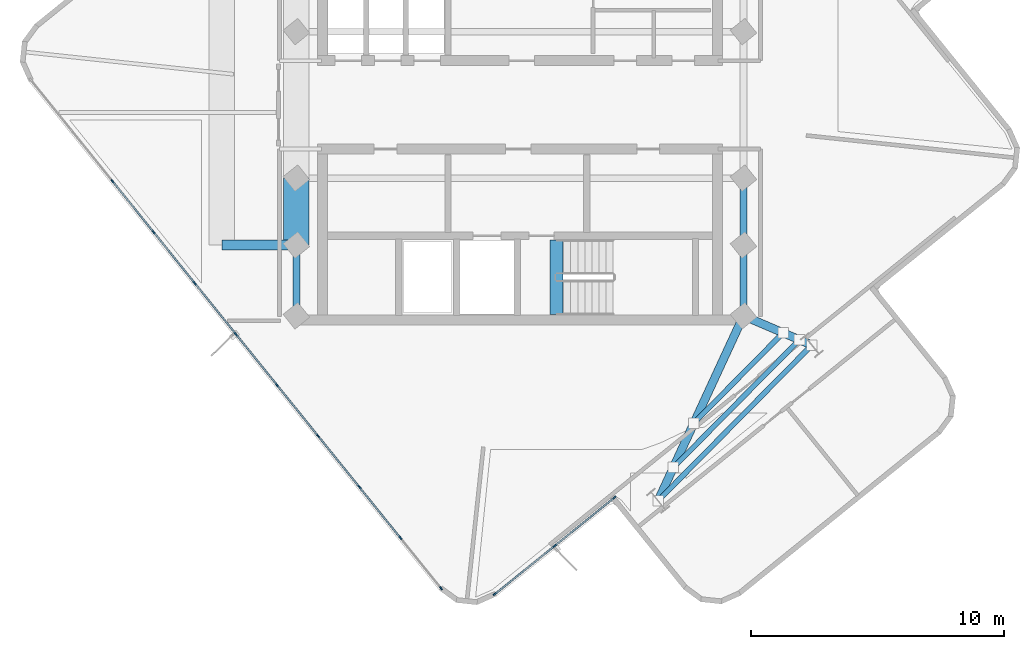
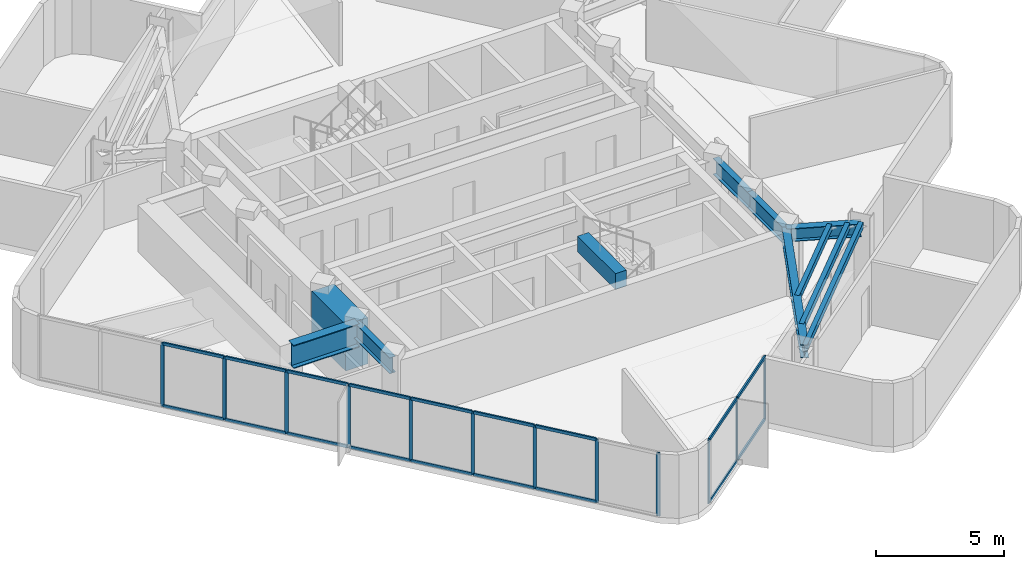
# One storey, part 2 of 9: 30 members, 11 beams, 2 elements without a shape of their own.
"""IFC4 building model written with IfcOpenShell, lengths in metres."""

from ifc_helpers import new_model, si_unit, direction, frame, origin, origin_2d, place, context, subcontext, project, spatial, rectangle, hollow_rectangle, i_section, extrude, material, layer, layer_set, material_profile, profile_set, type_object, element, aggregate, save


model = new_model("IFC4")

# Units and contexts
model_context = context("Model", 3, precision=1e-05, world=origin(), true_north=direction((0.0, 1.0)))
body_context = subcontext(model_context, "Body", "Model", "MODEL_VIEW")
ifc_project = project(units=[si_unit("LENGTHUNIT", "METRE"), si_unit("AREAUNIT", "SQUARE_METRE"), si_unit("VOLUMEUNIT", "CUBIC_METRE"), si_unit("PLANEANGLEUNIT", "RADIAN"), si_unit("MASSUNIT", "GRAM", prefix="KILO")], contexts=[model_context])

# Site, building, storey
site_placement = place(None, origin())
site = spatial("IfcSite", under=ifc_project, at=site_placement, CompositionType="ELEMENT")
building_placement = place(site_placement, origin())
building = spatial("IfcBuilding", under=site, at=building_placement, Name="Solmarez Civic Tower", CompositionType="ELEMENT")
storey_placement = place(building_placement, frame((0.0, 0.0, 235.97998046875)))
storey = spatial("IfcBuildingStorey", under=building, at=storey_placement, Name="L63", CompositionType="ELEMENT", Elevation=235.97998046875)

# Beams
ifc_material_1 = material(Name="Steel S355", Category="steel")
ifc_material_profile_1 = material_profile(ifc_material_1, hollow_rectangle(XDim=0.199951171875, YDim=0.300048828125, WallThickness=0.011962890625, at=origin_2d()), Name="HSS300X200X12")
ifc_profile_set_1 = profile_set([ifc_material_profile_1], Name="Steel S355")
beam_type_1 = type_object("IfcBeamType", Name="BM-JS-HSS300X200", PredefinedType="JOIST", material=ifc_profile_set_1)
beam_1_placement = place(storey_placement, frame((5.468017578125, -15.6708984375, 2.8701171875), z_axis=(0.702766092364, 0.711420986072, 0.0), x_axis=(-0.711420986072, 0.702766092364, 0.0)))
element("IfcBeam", 1, at=beam_1_placement, inside=storey, type_object=beam_type_1, Name="L63 Secondary Floor Joist BM-L63-SA-T1", PredefinedType="JOIST", context=body_context, shape_type="SweptSolid", body=[
    extrude(hollow_rectangle(XDim=0.199951171875, YDim=0.300048828125, WallThickness=0.011962890625, at=origin_2d()), origin(), (0.0, 0.0, 1.0), 8.659912109375),
])
beam_2_placement = place(storey_placement, frame((6.887939453125, -12.595947265625, 2.8701171875), z_axis=(0.702816380081, 0.711371306625, 0.0), x_axis=(-0.711371306625, 0.702816380081, 0.0)))
element("IfcBeam", 2, at=beam_2_placement, inside=storey, type_object=beam_type_1, Name="L63 Secondary Floor Joist JS-L63-SA-M11", PredefinedType="JOIST", context=body_context, shape_type="SweptSolid", body=[
    extrude(hollow_rectangle(XDim=0.199951171875, YDim=0.300048828125, WallThickness=0.011962890625, at=origin_2d()), origin(), (0.0, 0.0, 1.0), 5.022705078125),
])
beam_3_placement = place(storey_placement, frame((6.076904296875, -14.35302734375, 2.8701171875), z_axis=(0.702726827997, 0.711459770622, 0.0), x_axis=(-0.711459770622, 0.702726827997, 0.0)))
element("IfcBeam", 3, at=beam_3_placement, inside=storey, type_object=beam_type_1, Name="L63 Secondary Floor Joist JS-L63-SA-M12", PredefinedType="JOIST", context=body_context, shape_type="SweptSolid", body=[
    extrude(hollow_rectangle(XDim=0.199951171875, YDim=0.300048828125, WallThickness=0.011962890625, at=origin_2d()), origin(), (0.0, 0.0, 1.0), 7.100830078125),
])
ifc_material_2 = material(Name="Concrete C50/60", Category="concrete")
ifc_material_profile_2 = material_profile(ifc_material_2, rectangle(XDim=0.5, YDim=0.75, at=origin_2d()), Name="RC500X750")
ifc_profile_set_2 = profile_set([ifc_material_profile_2], Name="Concrete C50/60")
beam_type_2 = type_object("IfcBeamType", Name="BM-PR-RC500X750", PredefinedType="BEAM", material=ifc_profile_set_2)
beam_4_placement = place(storey_placement, frame((1.449951171875, -8.300048828125, 3.052978515625), z_axis=(0.0, 1.0, 0.0), x_axis=(-1.0, 0.0, 0.0)))
element("IfcBeam", 4, at=beam_4_placement, inside=storey, type_object=beam_type_2, Name="L63 South Stair Threshold Beam", PredefinedType="BEAM", context=body_context, shape_type="SweptSolid", body=[
    extrude(rectangle(XDim=0.5, YDim=0.75, at=origin_2d()), origin(), (0.0, 0.0, 1.0), 2.9599609375),
])
ifc_material_profile_3 = material_profile(ifc_material_1, i_section(OverallWidth=0.327880859375, OverallDepth=0.6220703125, WebThickness=0.015380859375, FlangeThickness=0.0244140625, at=origin_2d()), Name="W24X131")
ifc_profile_set_3 = profile_set([ifc_material_profile_3], Name="Steel S355")
beam_type_3 = type_object("IfcBeamType", Name="BM-PR-W24X131", PredefinedType="BEAM", material=ifc_profile_set_3)
beam_5_placement = place(storey_placement, frame((8.85009765625, -8.35009765625, 2.708984375), z_axis=(-0.419390280967, -0.907806032273, 0.0), x_axis=(0.907806032273, -0.419390280967, 0.0)))
element("IfcBeam", 5, at=beam_5_placement, inside=storey, type_object=beam_type_3, Name="L63 Primary Floor Beam BM-L63-SA-R1A", PredefinedType="BEAM", context=body_context, shape_type="SweptSolid", body=[
    extrude(i_section(OverallWidth=0.327880859375, OverallDepth=0.6220703125, WebThickness=0.015380859375, FlangeThickness=0.0244140625, at=origin_2d()), origin(), (0.0, 0.0, 1.0), 8.064208984375),
])
beam_6_placement = place(storey_placement, frame((8.85009765625, -8.35009765625, 2.708984375), z_axis=(0.919007627325, -0.394239750557, 0.0), x_axis=(0.394239750557, 0.919007627325, 0.0)))
element("IfcBeam", 6, at=beam_6_placement, inside=storey, type_object=beam_type_3, Name="L63 Primary Floor Beam BM-L63-SA-R1B", PredefinedType="BEAM", context=body_context, shape_type="SweptSolid", body=[
    extrude(i_section(OverallWidth=0.327880859375, OverallDepth=0.6220703125, WebThickness=0.015380859375, FlangeThickness=0.0244140625, at=origin_2d()), origin(), (0.0, 0.0, 1.0), 2.942138671875),
])
ifc_material_profile_4 = material_profile(ifc_material_1, i_section(OverallWidth=0.26708984375, OverallDepth=0.761962890625, WebThickness=0.014404296875, FlangeThickness=0.021484375, at=origin_2d()), Name="W30X116")
ifc_profile_set_4 = profile_set([ifc_material_profile_4], Name="Steel S355")
beam_type_4 = type_object("IfcBeamType", Name="BM-PR-W30X116", PredefinedType="BEAM", material=ifc_profile_set_4)
for number, where, z_axis, x_axis, name in (
    (7, (-8.85009765625, -8.35009765625, 2.638916015625), (0.0, 1.0, 0.0), (-1.0, 0.0, 0.0), "L63 Primary Floor Beam BM-L63-HC12-HC1"),
    (8, (8.85009765625, -8.35009765625, 2.638916015625), (0.0, 1.0, 0.0), (-1.0, 0.0, 0.0), "L63 Primary Floor Beam BM-L63-HC10-HC5"),
):
    element("IfcBeam", number, at=place(storey_placement, frame(where, z_axis=z_axis, x_axis=x_axis)), inside=storey, type_object=beam_type_4, Name=name, PredefinedType="BEAM", context=body_context, shape_type="SweptSolid", body=[
        extrude(i_section(OverallWidth=0.26708984375, OverallDepth=0.761962890625, WebThickness=0.014404296875, FlangeThickness=0.021484375, at=origin_2d()), origin(), (0.0, 0.0, 1.0), 2.800048828125),
    ])
beam_7_placement = place(storey_placement, frame((8.85009765625, -5.550048828125, 2.638916015625), z_axis=(0.0, 1.0, 0.0), x_axis=(-1.0, 0.0, 0.0)))
element("IfcBeam", 9, at=beam_7_placement, inside=storey, type_object=beam_type_4, Name="L63 Primary Floor Beam BM-L63-HC5-HC6", PredefinedType="BEAM", context=body_context, shape_type="SweptSolid", body=[
    extrude(i_section(OverallWidth=0.26708984375, OverallDepth=0.761962890625, WebThickness=0.014404296875, FlangeThickness=0.021484375, at=origin_2d()), origin(), (0.0, 0.0, 1.0), 2.650146484375),
])
ifc_material_3 = material(Name="Concrete C60/75", Category="concrete")
ifc_material_profile_5 = material_profile(ifc_material_3, rectangle(XDim=1.0, YDim=2.199951171875, at=origin_2d()), Name="RC1000X2200")
ifc_profile_set_5 = profile_set([ifc_material_profile_5], Name="Concrete C60/75")
beam_type_5 = type_object("IfcBeamType", Name="BM-TG-RC1000X2200", PredefinedType="USERDEFINED", material=ifc_profile_set_5)
beam_8_placement = place(storey_placement, frame((-8.85009765625, -5.550048828125, 1.919921875), z_axis=(0.0, 1.0, 0.0), x_axis=(-1.0, 0.0, 0.0)))
element("IfcBeam", 10, at=beam_8_placement, inside=storey, type_object=beam_type_5, Name="L63 Transfer Girder BM-L63-HC1-HC2", ObjectType="TRANSFER_GIRDER", PredefinedType="USERDEFINED", context=body_context, shape_type="SweptSolid", body=[
    extrude(rectangle(XDim=1.0, YDim=2.199951171875, at=origin_2d()), origin(), (0.0, 0.0, 1.0), 2.650146484375),
])
ifc_material_profile_6 = material_profile(ifc_material_1, i_section(OverallWidth=0.402099609375, OverallDepth=1.10791015625, WebThickness=0.02197265625, FlangeThickness=0.039794921875, at=origin_2d()), Name="W44X290")
ifc_profile_set_6 = profile_set([ifc_material_profile_6], Name="Steel S355")
beam_type_6 = type_object("IfcBeamType", Name="BM-TG-W44X290", PredefinedType="USERDEFINED", material=ifc_profile_set_6)
beam_9_placement = place(storey_placement, frame((-8.85009765625, -5.550048828125, 2.466064453125), z_axis=(-1.0, 0.0, 0.0), x_axis=(0.0, -1.0, 0.0)))
element("IfcBeam", 11, at=beam_9_placement, inside=storey, type_object=beam_type_6, Name="L63 Transfer Girder BM-L63-WT-S", ObjectType="TRANSFER_GIRDER", PredefinedType="USERDEFINED", context=body_context, shape_type="SweptSolid", body=[
    extrude(i_section(OverallWidth=0.402099609375, OverallDepth=1.10791015625, WebThickness=0.02197265625, FlangeThickness=0.039794921875, at=origin_2d()), origin(), (0.0, 0.0, 1.0), 2.949951171875),
])

# Curtain wall, members
ifc_material_4 = material(Name="Bronze Anodised Aluminium EN AW-6063 T6", Category="aluminium")
ifc_layer = layer(ifc_material_4, 0.1650390625)
ifc_layer_set = layer_set([ifc_layer], Name="Bronze Anodised Aluminium EN AW-6063 T6")
curtain_wall_type = type_object("IfcCurtainWallType", Name="CW-SYS-4", PredefinedType="NOTDEFINED", material=ifc_layer_set)
curtain_wall_1_placement = place(storey_placement, origin())
curtain_wall_1 = element("IfcCurtainWall", 12, at=curtain_wall_1_placement, inside=storey, type_object=curtain_wall_type, Name="L63 Stick-Built Curtain Wall 1", PredefinedType="NOTDEFINED")
ifc_material_profile_7 = material_profile(ifc_material_4, rectangle(XDim=0.06005859375, YDim=0.14990234375, at=origin_2d()), Name="CWM-60X150")
ifc_profile_set_7 = profile_set([ifc_material_profile_7], Name="Bronze Anodised Aluminium EN AW-6063 T6")
member_type_1 = type_object("IfcMemberType", Name="CWM-TYPE-4", PredefinedType="MULLION", material=ifc_profile_set_7)
member_1_placement = place(storey_placement, frame((3.74267578125, -15.546875, 0.0), z_axis=(0.0, 0.0, 1.0), x_axis=(0.628045217932, -0.778176846374, 0.0)))
member_1 = element("IfcMember", 13, at=member_1_placement, type_object=member_type_1, Name="CWS4 mullion 1", PredefinedType="MULLION", context=body_context, shape_type="SweptSolid", body=[
    extrude(rectangle(XDim=0.06005859375, YDim=0.14990234375, at=origin_2d()), origin(), (0.0, 0.0, 1.0), 3.02001953125),
])
member_2_placement = place(storey_placement, frame((1.37646484375, -17.45654296875, 0.0), z_axis=(0.0, 0.0, 1.0), x_axis=(0.628045217932, -0.778176846374, 0.0)))
member_2 = element("IfcMember", 14, at=member_2_placement, type_object=member_type_1, Name="CWS4 mullion 2", PredefinedType="MULLION", context=body_context, shape_type="SweptSolid", body=[
    extrude(rectangle(XDim=0.06005859375, YDim=0.14990234375, at=origin_2d()), origin(), (0.0, 0.0, 1.0), 3.02001953125),
])
member_3_placement = place(storey_placement, frame((-0.98974609375, -19.3662109375, 0.0), z_axis=(0.0, 0.0, 1.0), x_axis=(0.628045217932, -0.778176846374, 0.0)))
member_3 = element("IfcMember", 15, at=member_3_placement, type_object=member_type_1, Name="CWS4 mullion 3", PredefinedType="MULLION", context=body_context, shape_type="SweptSolid", body=[
    extrude(rectangle(XDim=0.06005859375, YDim=0.14990234375, at=origin_2d()), origin(), (0.0, 0.0, 1.0), 3.02001953125),
])

curtain_wall_2_placement = place(storey_placement, origin())
curtain_wall_2 = element("IfcCurtainWall", 16, at=curtain_wall_2_placement, inside=storey, type_object=curtain_wall_type, Name="L63 Stick-Built Curtain Wall 2", PredefinedType="NOTDEFINED")
member_4_placement = place(storey_placement, frame((-3.124755859375, -19.1376953125, 0.0), z_axis=(0.0, 0.0, 1.0), x_axis=(-0.778231193948, -0.627977872831, 0.0)))
member_4 = element("IfcMember", 17, at=member_4_placement, type_object=member_type_1, Name="CWS4 mullion 1", PredefinedType="MULLION", context=body_context, shape_type="SweptSolid", body=[
    extrude(rectangle(XDim=0.06005859375, YDim=0.14990234375, at=origin_2d()), origin(), (0.0, 0.0, 1.0), 3.02001953125),
])
member_5_placement = place(storey_placement, frame((-4.73388671875, -17.1435546875, 0.0), z_axis=(0.0, 0.0, 1.0), x_axis=(-0.778231193948, -0.627977872831, 0.0)))
member_5 = element("IfcMember", 18, at=member_5_placement, type_object=member_type_1, Name="CWS4 mullion 2", PredefinedType="MULLION", context=body_context, shape_type="SweptSolid", body=[
    extrude(rectangle(XDim=0.06005859375, YDim=0.14990234375, at=origin_2d()), origin(), (0.0, 0.0, 1.0), 3.02001953125),
])
member_6_placement = place(storey_placement, frame((-6.36181640625, -15.126220703125, 0.0), z_axis=(0.0, 0.0, 1.0), x_axis=(-0.778231193948, -0.627977872831, 0.0)))
member_6 = element("IfcMember", 19, at=member_6_placement, type_object=member_type_1, Name="CWS4 mullion 3", PredefinedType="MULLION", context=body_context, shape_type="SweptSolid", body=[
    extrude(rectangle(XDim=0.06005859375, YDim=0.14990234375, at=origin_2d()), origin(), (0.0, 0.0, 1.0), 3.02001953125),
])
member_7_placement = place(storey_placement, frame((-7.98974609375, -13.10888671875, 0.0), z_axis=(0.0, 0.0, 1.0), x_axis=(-0.778231193948, -0.627977872831, 0.0)))
member_7 = element("IfcMember", 20, at=member_7_placement, type_object=member_type_1, Name="CWS4 mullion 4", PredefinedType="MULLION", context=body_context, shape_type="SweptSolid", body=[
    extrude(rectangle(XDim=0.06005859375, YDim=0.14990234375, at=origin_2d()), origin(), (0.0, 0.0, 1.0), 3.02001953125),
])
member_8_placement = place(storey_placement, frame((-9.61767578125, -11.09130859375, 0.0), z_axis=(0.0, 0.0, 1.0), x_axis=(-0.778231193948, -0.627977872831, 0.0)))
member_8 = element("IfcMember", 21, at=member_8_placement, type_object=member_type_1, Name="CWS4 mullion 5", PredefinedType="MULLION", context=body_context, shape_type="SweptSolid", body=[
    extrude(rectangle(XDim=0.06005859375, YDim=0.14990234375, at=origin_2d()), origin(), (0.0, 0.0, 1.0), 3.02001953125),
])
member_9_placement = place(storey_placement, frame((-11.24560546875, -9.073974609375, 0.0), z_axis=(0.0, 0.0, 1.0), x_axis=(-0.778231193948, -0.627977872831, 0.0)))
member_9 = element("IfcMember", 22, at=member_9_placement, type_object=member_type_1, Name="CWS4 mullion 6", PredefinedType="MULLION", context=body_context, shape_type="SweptSolid", body=[
    extrude(rectangle(XDim=0.06005859375, YDim=0.14990234375, at=origin_2d()), origin(), (0.0, 0.0, 1.0), 3.02001953125),
])
member_10_placement = place(storey_placement, frame((-12.873291015625, -7.056640625, 0.0), z_axis=(0.0, 0.0, 1.0), x_axis=(-0.778231193948, -0.627977872831, 0.0)))
member_10 = element("IfcMember", 23, at=member_10_placement, type_object=member_type_1, Name="CWS4 mullion 7", PredefinedType="MULLION", context=body_context, shape_type="SweptSolid", body=[
    extrude(rectangle(XDim=0.06005859375, YDim=0.14990234375, at=origin_2d()), origin(), (0.0, 0.0, 1.0), 3.02001953125),
])
member_11_placement = place(storey_placement, frame((-14.501220703125, -5.039306640625, 0.0), z_axis=(0.0, 0.0, 1.0), x_axis=(-0.778231193948, -0.627977872831, 0.0)))
member_11 = element("IfcMember", 24, at=member_11_placement, type_object=member_type_1, Name="CWS4 mullion 8", PredefinedType="MULLION", context=body_context, shape_type="SweptSolid", body=[
    extrude(rectangle(XDim=0.06005859375, YDim=0.14990234375, at=origin_2d()), origin(), (0.0, 0.0, 1.0), 3.02001953125),
])
member_12_placement = place(storey_placement, frame((-16.129150390625, -3.021728515625, 0.0), z_axis=(0.0, 0.0, 1.0), x_axis=(-0.778231193948, -0.627977872831, 0.0)))
member_12 = element("IfcMember", 25, at=member_12_placement, type_object=member_type_1, Name="CWS4 mullion 9", PredefinedType="MULLION", context=body_context, shape_type="SweptSolid", body=[
    extrude(rectangle(XDim=0.06005859375, YDim=0.14990234375, at=origin_2d()), origin(), (0.0, 0.0, 1.0), 3.02001953125),
])

# Member
ifc_material_profile_8 = material_profile(ifc_material_4, rectangle(XDim=0.070068359375, YDim=0.139892578125, at=origin_2d()), Name="CWT-70X140")
ifc_profile_set_8 = profile_set([ifc_material_profile_8], Name="Bronze Anodised Aluminium EN AW-6063 T6")
member_type_2 = type_object("IfcMemberType", Name="CWT-TYPE-1", PredefinedType="USERDEFINED", material=ifc_profile_set_8)
member_13_placement = place(storey_placement, frame((3.71923828125, -15.565673828125, 0.034912109375), z_axis=(-0.778144411069, -0.62808540464, 0.0), x_axis=(0.62808540464, -0.778144411069, 0.0)))
member_13 = element("IfcMember", 26, at=member_13_placement, type_object=member_type_2, Name="CWS4 transom 1.1", ObjectType="TRANSOM", PredefinedType="USERDEFINED", context=body_context, shape_type="SweptSolid", body=[
    extrude(rectangle(XDim=0.070068359375, YDim=0.139892578125, at=origin_2d()), origin(), (0.0, 0.0, 1.0), 2.980712890625),
])

member_14_placement = place(storey_placement, frame((3.71923828125, -15.565673828125, 2.985107421875), z_axis=(-0.778144411069, -0.62808540464, 0.0), x_axis=(0.62808540464, -0.778144411069, 0.0)))
member_14 = element("IfcMember", 27, at=member_14_placement, type_object=member_type_2, Name="CWS4 transom 1.2", ObjectType="TRANSOM", PredefinedType="USERDEFINED", context=body_context, shape_type="SweptSolid", body=[
    extrude(rectangle(XDim=0.070068359375, YDim=0.139892578125, at=origin_2d()), origin(), (0.0, 0.0, 1.0), 2.980712890625),
])

member_15_placement = place(storey_placement, frame((1.353271484375, -17.475341796875, 0.034912109375), z_axis=(-0.778176720736, -0.628045373603, 0.0), x_axis=(0.628045373603, -0.778176720736, 0.0)))
member_15 = element("IfcMember", 28, at=member_15_placement, type_object=member_type_2, Name="CWS4 transom 2.1", ObjectType="TRANSOM", PredefinedType="USERDEFINED", context=body_context, shape_type="SweptSolid", body=[
    extrude(rectangle(XDim=0.070068359375, YDim=0.139892578125, at=origin_2d()), origin(), (0.0, 0.0, 1.0), 2.980712890625),
])

member_16_placement = place(storey_placement, frame((1.353271484375, -17.475341796875, 2.985107421875), z_axis=(-0.778176720736, -0.628045373603, 0.0), x_axis=(0.628045373603, -0.778176720736, 0.0)))
member_16 = element("IfcMember", 29, at=member_16_placement, type_object=member_type_2, Name="CWS4 transom 2.2", ObjectType="TRANSOM", PredefinedType="USERDEFINED", context=body_context, shape_type="SweptSolid", body=[
    extrude(rectangle(XDim=0.070068359375, YDim=0.139892578125, at=origin_2d()), origin(), (0.0, 0.0, 1.0), 2.980712890625),
])

aggregate(curtain_wall_1, [member_1, member_2, member_3, member_13, member_14, member_15, member_16])

member_17_placement = place(storey_placement, frame((-4.752685546875, -17.120361328125, 0.034912109375), z_axis=(-0.628004928175, 0.778209361411, 0.0), x_axis=(-0.778209361411, -0.628004928175, 0.0)))
member_17 = element("IfcMember", 30, at=member_17_placement, type_object=member_type_2, Name="CWS4 transom 2.1", ObjectType="TRANSOM", PredefinedType="USERDEFINED", context=body_context, shape_type="SweptSolid", body=[
    extrude(rectangle(XDim=0.070068359375, YDim=0.139892578125, at=origin_2d()), origin(), (0.0, 0.0, 1.0), 2.532470703125),
])

member_18_placement = place(storey_placement, frame((-4.752685546875, -17.120361328125, 2.985107421875), z_axis=(-0.628004928175, 0.778209361411, 0.0), x_axis=(-0.778209361411, -0.628004928175, 0.0)))
member_18 = element("IfcMember", 31, at=member_18_placement, type_object=member_type_2, Name="CWS4 transom 2.2", ObjectType="TRANSOM", PredefinedType="USERDEFINED", context=body_context, shape_type="SweptSolid", body=[
    extrude(rectangle(XDim=0.070068359375, YDim=0.139892578125, at=origin_2d()), origin(), (0.0, 0.0, 1.0), 2.532470703125),
])

member_19_placement = place(storey_placement, frame((-6.380615234375, -15.102783203125, 0.034912109375), z_axis=(-0.628004928175, 0.778209361411, 0.0), x_axis=(-0.778209361411, -0.628004928175, 0.0)))
member_19 = element("IfcMember", 32, at=member_19_placement, type_object=member_type_2, Name="CWS4 transom 3.1", ObjectType="TRANSOM", PredefinedType="USERDEFINED", context=body_context, shape_type="SweptSolid", body=[
    extrude(rectangle(XDim=0.070068359375, YDim=0.139892578125, at=origin_2d()), origin(), (0.0, 0.0, 1.0), 2.532470703125),
])

member_20_placement = place(storey_placement, frame((-6.380615234375, -15.102783203125, 2.985107421875), z_axis=(-0.628004928175, 0.778209361411, 0.0), x_axis=(-0.778209361411, -0.628004928175, 0.0)))
member_20 = element("IfcMember", 33, at=member_20_placement, type_object=member_type_2, Name="CWS4 transom 3.2", ObjectType="TRANSOM", PredefinedType="USERDEFINED", context=body_context, shape_type="SweptSolid", body=[
    extrude(rectangle(XDim=0.070068359375, YDim=0.139892578125, at=origin_2d()), origin(), (0.0, 0.0, 1.0), 2.532470703125),
])

member_21_placement = place(storey_placement, frame((-8.008544921875, -13.08544921875, 0.034912109375), z_axis=(-0.628004928175, 0.778209361411, 0.0), x_axis=(-0.778209361411, -0.628004928175, 0.0)))
member_21 = element("IfcMember", 34, at=member_21_placement, type_object=member_type_2, Name="CWS4 transom 4.1", ObjectType="TRANSOM", PredefinedType="USERDEFINED", context=body_context, shape_type="SweptSolid", body=[
    extrude(rectangle(XDim=0.070068359375, YDim=0.139892578125, at=origin_2d()), origin(), (0.0, 0.0, 1.0), 2.532470703125),
])

member_22_placement = place(storey_placement, frame((-8.008544921875, -13.08544921875, 2.985107421875), z_axis=(-0.628004928175, 0.778209361411, 0.0), x_axis=(-0.778209361411, -0.628004928175, 0.0)))
member_22 = element("IfcMember", 35, at=member_22_placement, type_object=member_type_2, Name="CWS4 transom 4.2", ObjectType="TRANSOM", PredefinedType="USERDEFINED", context=body_context, shape_type="SweptSolid", body=[
    extrude(rectangle(XDim=0.070068359375, YDim=0.139892578125, at=origin_2d()), origin(), (0.0, 0.0, 1.0), 2.532470703125),
])

member_23_placement = place(storey_placement, frame((-9.636474609375, -11.068115234375, 0.034912109375), z_axis=(-0.627946536943, 0.778256478766, 0.0), x_axis=(-0.778256478766, -0.627946536943, 0.0)))
member_23 = element("IfcMember", 36, at=member_23_placement, type_object=member_type_2, Name="CWS4 transom 5.1", ObjectType="TRANSOM", PredefinedType="USERDEFINED", context=body_context, shape_type="SweptSolid", body=[
    extrude(rectangle(XDim=0.070068359375, YDim=0.139892578125, at=origin_2d()), origin(), (0.0, 0.0, 1.0), 2.5322265625),
])

member_24_placement = place(storey_placement, frame((-9.636474609375, -11.068115234375, 2.985107421875), z_axis=(-0.627946536943, 0.778256478766, 0.0), x_axis=(-0.778256478766, -0.627946536943, 0.0)))
member_24 = element("IfcMember", 37, at=member_24_placement, type_object=member_type_2, Name="CWS4 transom 5.2", ObjectType="TRANSOM", PredefinedType="USERDEFINED", context=body_context, shape_type="SweptSolid", body=[
    extrude(rectangle(XDim=0.070068359375, YDim=0.139892578125, at=origin_2d()), origin(), (0.0, 0.0, 1.0), 2.5322265625),
])

member_25_placement = place(storey_placement, frame((-11.264404296875, -9.050537109375, 0.034912109375), z_axis=(-0.627946536943, 0.778256478766, 0.0), x_axis=(-0.778256478766, -0.627946536943, 0.0)))
member_25 = element("IfcMember", 38, at=member_25_placement, type_object=member_type_2, Name="CWS4 transom 6.1", ObjectType="TRANSOM", PredefinedType="USERDEFINED", context=body_context, shape_type="SweptSolid", body=[
    extrude(rectangle(XDim=0.070068359375, YDim=0.139892578125, at=origin_2d()), origin(), (0.0, 0.0, 1.0), 2.5322265625),
])

member_26_placement = place(storey_placement, frame((-11.264404296875, -9.050537109375, 2.985107421875), z_axis=(-0.627946536943, 0.778256478766, 0.0), x_axis=(-0.778256478766, -0.627946536943, 0.0)))
member_26 = element("IfcMember", 39, at=member_26_placement, type_object=member_type_2, Name="CWS4 transom 6.2", ObjectType="TRANSOM", PredefinedType="USERDEFINED", context=body_context, shape_type="SweptSolid", body=[
    extrude(rectangle(XDim=0.070068359375, YDim=0.139892578125, at=origin_2d()), origin(), (0.0, 0.0, 1.0), 2.5322265625),
])

member_27_placement = place(storey_placement, frame((-12.892333984375, -7.033203125, 0.034912109375), z_axis=(-0.627946536943, 0.778256478766, 0.0), x_axis=(-0.778256478766, -0.627946536943, 0.0)))
member_27 = element("IfcMember", 40, at=member_27_placement, type_object=member_type_2, Name="CWS4 transom 7.1", ObjectType="TRANSOM", PredefinedType="USERDEFINED", context=body_context, shape_type="SweptSolid", body=[
    extrude(rectangle(XDim=0.070068359375, YDim=0.139892578125, at=origin_2d()), origin(), (0.0, 0.0, 1.0), 2.5322265625),
])

member_28_placement = place(storey_placement, frame((-12.892333984375, -7.033203125, 2.985107421875), z_axis=(-0.627946536943, 0.778256478766, 0.0), x_axis=(-0.778256478766, -0.627946536943, 0.0)))
member_28 = element("IfcMember", 41, at=member_28_placement, type_object=member_type_2, Name="CWS4 transom 7.2", ObjectType="TRANSOM", PredefinedType="USERDEFINED", context=body_context, shape_type="SweptSolid", body=[
    extrude(rectangle(XDim=0.070068359375, YDim=0.139892578125, at=origin_2d()), origin(), (0.0, 0.0, 1.0), 2.5322265625),
])

member_29_placement = place(storey_placement, frame((-14.52001953125, -5.015869140625, 0.034912109375), z_axis=(-0.628004928175, 0.778209361411, 0.0), x_axis=(-0.778209361411, -0.628004928175, 0.0)))
member_29 = element("IfcMember", 42, at=member_29_placement, type_object=member_type_2, Name="CWS4 transom 8.1", ObjectType="TRANSOM", PredefinedType="USERDEFINED", context=body_context, shape_type="SweptSolid", body=[
    extrude(rectangle(XDim=0.070068359375, YDim=0.139892578125, at=origin_2d()), origin(), (0.0, 0.0, 1.0), 2.532470703125),
])

member_30_placement = place(storey_placement, frame((-14.52001953125, -5.015869140625, 2.985107421875), z_axis=(-0.628004928175, 0.778209361411, 0.0), x_axis=(-0.778209361411, -0.628004928175, 0.0)))
member_30 = element("IfcMember", 43, at=member_30_placement, type_object=member_type_2, Name="CWS4 transom 8.2", ObjectType="TRANSOM", PredefinedType="USERDEFINED", context=body_context, shape_type="SweptSolid", body=[
    extrude(rectangle(XDim=0.070068359375, YDim=0.139892578125, at=origin_2d()), origin(), (0.0, 0.0, 1.0), 2.532470703125),
])

aggregate(curtain_wall_2, [member_4, member_5, member_6, member_7, member_8, member_9, member_10, member_11, member_12, member_17, member_18, member_19, member_20, member_21, member_22, member_23, member_24, member_25, member_26, member_27, member_28, member_29, member_30])

save(model, "model.ifc")
